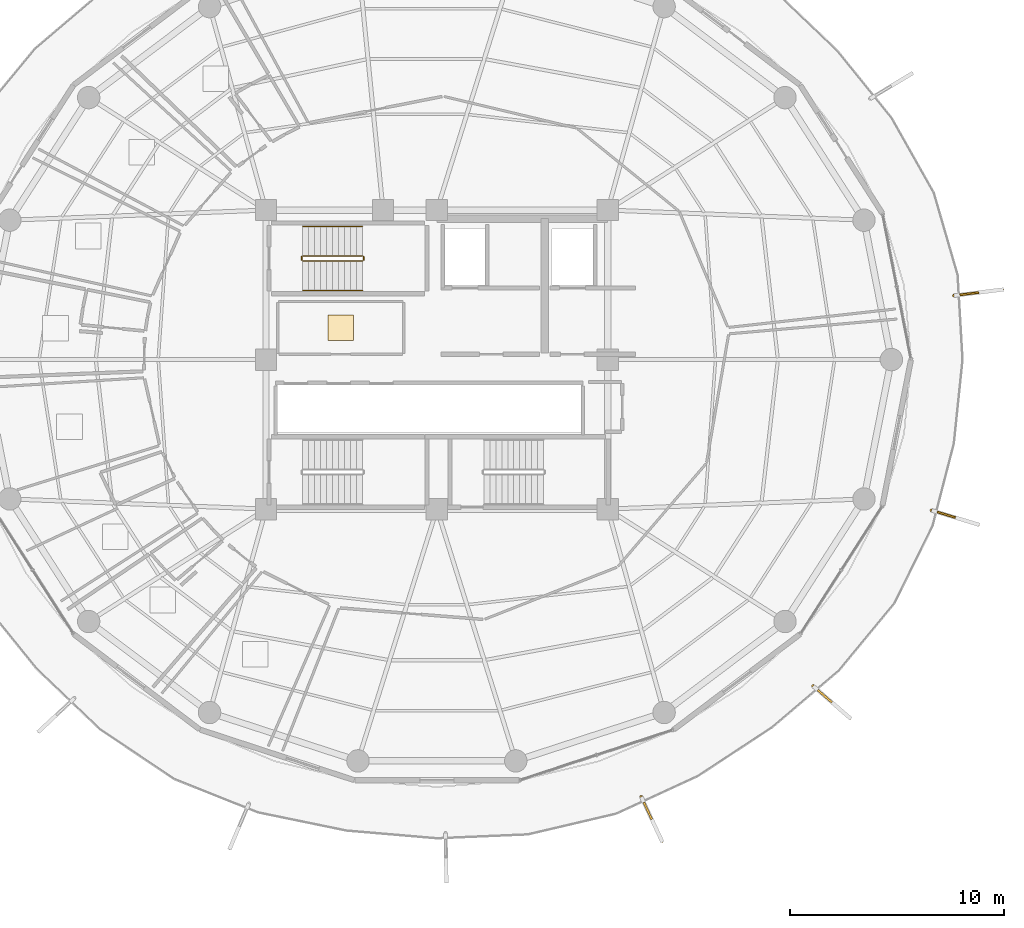
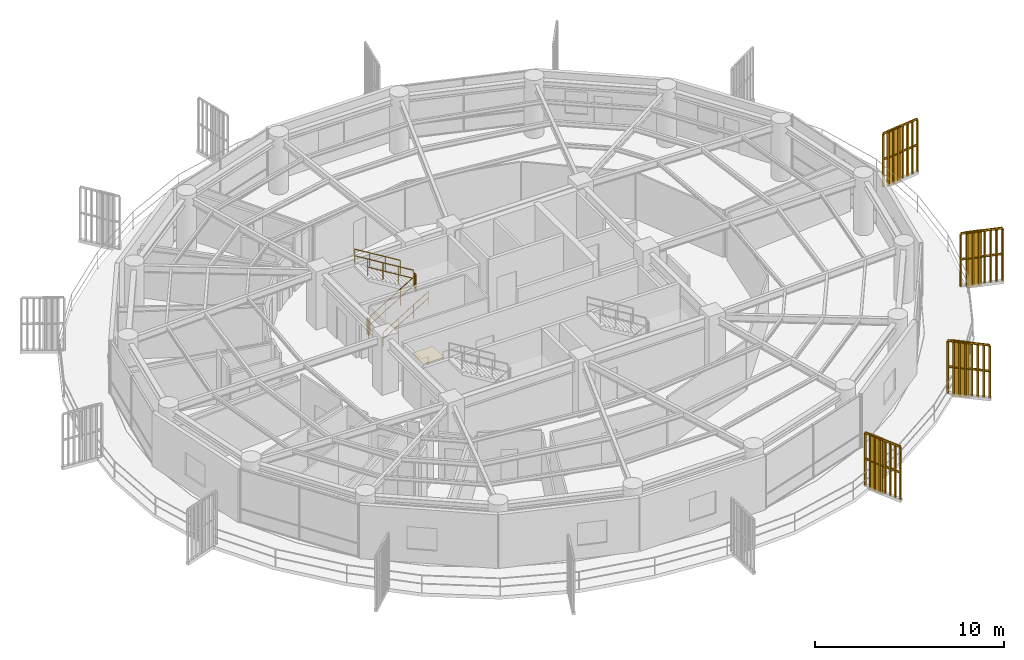
# One storey, part 29 of 30: 10 railings, 4 shading devices, 1 covering.
"""IFC4 building model written with IfcOpenShell, lengths in metres."""

from ifc_helpers import new_model, si_unit, direction, frame, origin, origin_2d, place, context, subcontext, project, spatial, polyline, rectangle, outline, extrude, source, transform, mapped, material, layer, layer_set, type_object, element, save


model = new_model("IFC4")

# Units and contexts
model_context = context("Model", 3, precision=1e-05, world=origin(), true_north=direction((0.0, 1.0)))
body_context = subcontext(model_context, "Body", "Model", "MODEL_VIEW")
ifc_project = project(units=[si_unit("LENGTHUNIT", "METRE"), si_unit("AREAUNIT", "SQUARE_METRE"), si_unit("VOLUMEUNIT", "CUBIC_METRE"), si_unit("PLANEANGLEUNIT", "RADIAN"), si_unit("MASSUNIT", "GRAM", prefix="KILO")], contexts=[model_context])

# Site, building, storey
site_placement = place(None, origin())
site = spatial("IfcSite", under=ifc_project, at=site_placement, CompositionType="ELEMENT")
building_placement = place(site_placement, origin())
building = spatial("IfcBuilding", under=site, at=building_placement, Name="Kelanora Arch Commons", CompositionType="ELEMENT")
storey_placement = place(building_placement, frame((0.0, 0.0, 234.449951171875)))
storey = spatial("IfcBuildingStorey", under=building, at=storey_placement, Name="L60", CompositionType="ELEMENT", Elevation=234.449951171875)

# Railings
ifc_material_1 = material(Name="Anodised bronze vertical shading fin rib assembly")
railing_type_1 = type_object("IfcRailingType", Name="RAIL-FIN-BRZ", PredefinedType="BALUSTRADE", material=ifc_material_1)
railing_1_placement = place(storey_placement, frame((91.6201171875, 42.711669921875, -0.02001953125)))
element("IfcRailing", 1, at=railing_1_placement, inside=storey, type_object=railing_type_1, Name="Sweeping Bronze Vertical Fin Blade L60-00", PredefinedType="BALUSTRADE", context=body_context, shape_type="SweptSolid", body=[
    extrude(outline(polyline([(0.06982421875, 0.0), (0.034912109375, 0.060546875), (-0.034912109375, 0.060546875), (-0.06982421875, 0.0), (-0.034912109375, -0.060546875), (0.034912109375, -0.060546875), (0.06982421875, 0.0)])), frame((0.0, 0.0, 3.419921875), z_axis=(0.755299834203, -0.655379401914, 0.0), x_axis=(0.655379401914, 0.755299834203, 0.0)), (0.0, 0.0, 1.0), 2.277099609375),
    extrude(outline(polyline([(0.06982421875, 0.0), (0.034912109375, 0.060546875), (-0.034912109375, 0.060546875), (-0.06982421875, 0.0), (-0.034912109375, -0.060546875), (0.034912109375, -0.060546875), (0.06982421875, 0.0)])), frame((0.0, 0.0, 1.7451171875), z_axis=(0.755299834203, -0.655379401914, 0.0), x_axis=(0.655379401914, 0.755299834203, 0.0)), (0.0, 0.0, 1.0), 2.277099609375),
    extrude(outline(polyline([(0.080078125, 0.0), (0.0400390625, 0.0693359375), (-0.0400390625, 0.0693359375), (-0.080078125, 0.0), (-0.0400390625, -0.0693359375), (0.0400390625, -0.0693359375), (0.080078125, 0.0)])), origin(), (0.0, 0.0, 1.0), 3.35009765625),
    extrude(outline(polyline([(0.080078125, 0.0), (0.0400390625, 0.0693359375), (-0.0400390625, 0.0693359375), (-0.080078125, 0.0), (-0.0400390625, -0.0693359375), (0.0400390625, -0.0693359375), (0.080078125, 0.0)])), frame((0.24560546875, -0.213134765625, 0.0)), (0.0, 0.0, 1.0), 3.35009765625),
    extrude(outline(polyline([(0.080078125, 0.0), (0.0400390625, 0.0693359375), (-0.0400390625, 0.0693359375), (-0.080078125, 0.0), (-0.0400390625, -0.0693359375), (0.0400390625, -0.0693359375), (0.080078125, 0.0)])), frame((0.491455078125, -0.426513671875, 0.0)), (0.0, 0.0, 1.0), 3.35009765625),
    extrude(outline(polyline([(0.080078125, 0.0), (0.0400390625, 0.0693359375), (-0.0400390625, 0.0693359375), (-0.080078125, 0.0), (-0.0400390625, -0.0693359375), (0.0400390625, -0.0693359375), (0.080078125, 0.0)])), frame((0.737060546875, -0.6396484375, 0.0)), (0.0, 0.0, 1.0), 3.35009765625),
    extrude(outline(polyline([(0.080078125, 0.0), (0.0400390625, 0.0693359375), (-0.0400390625, 0.0693359375), (-0.080078125, 0.0), (-0.0400390625, -0.0693359375), (0.0400390625, -0.0693359375), (0.080078125, 0.0)])), frame((0.98291015625, -0.852783203125, 0.0)), (0.0, 0.0, 1.0), 3.35009765625),
    extrude(outline(polyline([(0.080078125, 0.0), (0.0400390625, 0.0693359375), (-0.0400390625, 0.0693359375), (-0.080078125, 0.0), (-0.0400390625, -0.0693359375), (0.0400390625, -0.0693359375), (0.080078125, 0.0)])), frame((1.228515625, -1.06591796875, 0.0)), (0.0, 0.0, 1.0), 3.35009765625),
    extrude(outline(polyline([(0.080078125, 0.0), (0.0400390625, 0.0693359375), (-0.0400390625, 0.0693359375), (-0.080078125, 0.0), (-0.0400390625, -0.0693359375), (0.0400390625, -0.0693359375), (0.080078125, 0.0)])), frame((1.474365234375, -1.279296875, 0.0)), (0.0, 0.0, 1.0), 3.35009765625),
    extrude(outline(polyline([(0.080078125, 0.0), (0.0400390625, 0.0693359375), (-0.0400390625, 0.0693359375), (-0.080078125, 0.0), (-0.0400390625, -0.0693359375), (0.0400390625, -0.0693359375), (0.080078125, 0.0)])), frame((1.719970703125, -1.492431640625, 0.0)), (0.0, 0.0, 1.0), 3.35009765625),
])
railing_2_placement = place(storey_placement, frame((97.163818359375, 50.94140625, -0.02001953125)))
element("IfcRailing", 2, at=railing_2_placement, inside=storey, type_object=railing_type_1, Name="Sweeping Bronze Vertical Fin Blade L60-01", PredefinedType="BALUSTRADE", context=body_context, shape_type="SweptSolid", body=[
    extrude(outline(polyline([(0.06982421875, 0.0), (0.034912109375, 0.060546875), (-0.034912109375, 0.060546875), (-0.06982421875, 0.0), (-0.034912109375, -0.060546875), (0.034912109375, -0.060546875), (0.06982421875, 0.0)])), frame((0.0, 0.0, 3.419921875), z_axis=(0.956595937156, -0.291417592153, 0.0), x_axis=(0.291417592153, 0.956595937156, 0.0)), (0.0, 0.0, 1.0), 2.277099609375),
    extrude(outline(polyline([(0.06982421875, 0.0), (0.034912109375, 0.060546875), (-0.034912109375, 0.060546875), (-0.06982421875, 0.0), (-0.034912109375, -0.060546875), (0.034912109375, -0.060546875), (0.06982421875, 0.0)])), frame((0.0, 0.0, 1.7451171875), z_axis=(0.956595937156, -0.291417592153, 0.0), x_axis=(0.291417592153, 0.956595937156, 0.0)), (0.0, 0.0, 1.0), 2.277099609375),
    extrude(outline(polyline([(0.080078125, 0.0), (0.0400390625, 0.0693359375), (-0.0400390625, 0.0693359375), (-0.080078125, 0.0), (-0.0400390625, -0.0693359375), (0.0400390625, -0.0693359375), (0.080078125, 0.0)])), origin(), (0.0, 0.0, 1.0), 3.35009765625),
    extrude(outline(polyline([(0.080078125, 0.0), (0.0400390625, 0.0693359375), (-0.0400390625, 0.0693359375), (-0.080078125, 0.0), (-0.0400390625, -0.0693359375), (0.0400390625, -0.0693359375), (0.080078125, 0.0)])), frame((0.311279296875, -0.0947265625, 0.0)), (0.0, 0.0, 1.0), 3.35009765625),
    extrude(outline(polyline([(0.080078125, 0.0), (0.0400390625, 0.0693359375), (-0.0400390625, 0.0693359375), (-0.080078125, 0.0), (-0.0400390625, -0.0693359375), (0.0400390625, -0.0693359375), (0.080078125, 0.0)])), frame((0.622314453125, -0.189697265625, 0.0)), (0.0, 0.0, 1.0), 3.35009765625),
    extrude(outline(polyline([(0.080078125, 0.0), (0.0400390625, 0.0693359375), (-0.0400390625, 0.0693359375), (-0.080078125, 0.0), (-0.0400390625, -0.0693359375), (0.0400390625, -0.0693359375), (0.080078125, 0.0)])), frame((0.93359375, -0.284423828125, 0.0)), (0.0, 0.0, 1.0), 3.35009765625),
    extrude(outline(polyline([(0.080078125, 0.0), (0.0400390625, 0.0693359375), (-0.0400390625, 0.0693359375), (-0.080078125, 0.0), (-0.0400390625, -0.0693359375), (0.0400390625, -0.0693359375), (0.080078125, 0.0)])), frame((1.24462890625, -0.379150390625, 0.0)), (0.0, 0.0, 1.0), 3.35009765625),
    extrude(outline(polyline([(0.080078125, 0.0), (0.0400390625, 0.0693359375), (-0.0400390625, 0.0693359375), (-0.080078125, 0.0), (-0.0400390625, -0.0693359375), (0.0400390625, -0.0693359375), (0.080078125, 0.0)])), frame((1.555908203125, -0.473876953125, 0.0)), (0.0, 0.0, 1.0), 3.35009765625),
    extrude(outline(polyline([(0.080078125, 0.0), (0.0400390625, 0.0693359375), (-0.0400390625, 0.0693359375), (-0.080078125, 0.0), (-0.0400390625, -0.0693359375), (0.0400390625, -0.0693359375), (0.080078125, 0.0)])), frame((1.866943359375, -0.56884765625, 0.0)), (0.0, 0.0, 1.0), 3.35009765625),
    extrude(outline(polyline([(0.080078125, 0.0), (0.0400390625, 0.0693359375), (-0.0400390625, 0.0693359375), (-0.080078125, 0.0), (-0.0400390625, -0.0693359375), (0.0400390625, -0.0693359375), (0.080078125, 0.0)])), frame((2.17822265625, -0.66357421875, 0.0)), (0.0, 0.0, 1.0), 3.35009765625),
])
railing_3_placement = place(storey_placement, frame((98.213134765625, 60.99560546875, -0.02001953125)))
element("IfcRailing", 3, at=railing_3_placement, inside=storey, type_object=railing_type_1, Name="Sweeping Bronze Vertical Fin Blade L60-02", PredefinedType="BALUSTRADE", context=body_context, shape_type="SweptSolid", body=[
    extrude(outline(polyline([(0.06982421875, 0.0), (0.034912109375, 0.060546875), (-0.034912109375, 0.060546875), (-0.06982421875, 0.0), (-0.034912109375, -0.060546875), (0.034912109375, -0.060546875), (0.06982421875, 0.0)])), frame((0.0, 0.0, 3.419921875), z_axis=(0.992423974232, 0.122860308358, 0.0), x_axis=(-0.122860308358, 0.992423974232, 0.0)), (0.0, 0.0, 1.0), 2.27734375),
    extrude(outline(polyline([(0.06982421875, 0.0), (0.034912109375, 0.060546875), (-0.034912109375, 0.060546875), (-0.06982421875, 0.0), (-0.034912109375, -0.060546875), (0.034912109375, -0.060546875), (0.06982421875, 0.0)])), frame((0.0, 0.0, 1.7451171875), z_axis=(0.992423974232, 0.122860308358, 0.0), x_axis=(-0.122860308358, 0.992423974232, 0.0)), (0.0, 0.0, 1.0), 2.27734375),
    extrude(outline(polyline([(0.080078125, 0.0), (0.0400390625, 0.0693359375), (-0.0400390625, 0.0693359375), (-0.080078125, 0.0), (-0.0400390625, -0.0693359375), (0.0400390625, -0.0693359375), (0.080078125, 0.0)])), origin(), (0.0, 0.0, 1.0), 3.35009765625),
    extrude(outline(polyline([(0.080078125, 0.0), (0.0400390625, 0.0693359375), (-0.0400390625, 0.0693359375), (-0.080078125, 0.0), (-0.0400390625, -0.0693359375), (0.0400390625, -0.0693359375), (0.080078125, 0.0)])), frame((0.32275390625, 0.0400390625, 0.0)), (0.0, 0.0, 1.0), 3.35009765625),
    extrude(outline(polyline([(0.080078125, 0.0), (0.0400390625, 0.0693359375), (-0.0400390625, 0.0693359375), (-0.080078125, 0.0), (-0.0400390625, -0.0693359375), (0.0400390625, -0.0693359375), (0.080078125, 0.0)])), frame((0.645751953125, 0.079833984375, 0.0)), (0.0, 0.0, 1.0), 3.35009765625),
    extrude(outline(polyline([(0.080078125, 0.0), (0.0400390625, 0.0693359375), (-0.0400390625, 0.0693359375), (-0.080078125, 0.0), (-0.0400390625, -0.0693359375), (0.0400390625, -0.0693359375), (0.080078125, 0.0)])), frame((0.968505859375, 0.119873046875, 0.0)), (0.0, 0.0, 1.0), 3.35009765625),
    extrude(outline(polyline([(0.080078125, 0.0), (0.0400390625, 0.0693359375), (-0.0400390625, 0.0693359375), (-0.080078125, 0.0), (-0.0400390625, -0.0693359375), (0.0400390625, -0.0693359375), (0.080078125, 0.0)])), frame((1.29150390625, 0.159912109375, 0.0)), (0.0, 0.0, 1.0), 3.35009765625),
    extrude(outline(polyline([(0.080078125, 0.0), (0.0400390625, 0.0693359375), (-0.0400390625, 0.0693359375), (-0.080078125, 0.0), (-0.0400390625, -0.0693359375), (0.0400390625, -0.0693359375), (0.080078125, 0.0)])), frame((1.6142578125, 0.199951171875, 0.0)), (0.0, 0.0, 1.0), 3.35009765625),
    extrude(outline(polyline([(0.080078125, 0.0), (0.0400390625, 0.0693359375), (-0.0400390625, 0.0693359375), (-0.080078125, 0.0), (-0.0400390625, -0.0693359375), (0.0400390625, -0.0693359375), (0.080078125, 0.0)])), frame((1.937255859375, 0.23974609375, 0.0)), (0.0, 0.0, 1.0), 3.35009765625),
    extrude(outline(polyline([(0.080078125, 0.0), (0.0400390625, 0.0693359375), (-0.0400390625, 0.0693359375), (-0.080078125, 0.0), (-0.0400390625, -0.0693359375), (0.0400390625, -0.0693359375), (0.080078125, 0.0)])), frame((2.260009765625, 0.27978515625, 0.0)), (0.0, 0.0, 1.0), 3.35009765625),
])
railing_4_placement = place(storey_placement, frame((83.569091796875, 37.5283203125, -0.02001953125)))
element("IfcRailing", 4, at=railing_4_placement, inside=storey, type_object=railing_type_1, Name="Sweeping Bronze Vertical Fin Blade L60-14", PredefinedType="BALUSTRADE", context=body_context, shape_type="SweptSolid", body=[
    extrude(outline(polyline([(0.06982421875, 0.0), (0.034912109375, 0.060546875), (-0.034912109375, 0.060546875), (-0.06982421875, 0.0), (-0.034912109375, -0.060546875), (0.034912109375, -0.060546875), (0.06982421875, 0.0)])), frame((0.0, 0.0, 3.419921875), z_axis=(0.423472282692, -0.905909060442, 0.0), x_axis=(0.905909060442, 0.423472282692, 0.0)), (0.0, 0.0, 1.0), 2.27734375),
    extrude(outline(polyline([(0.06982421875, 0.0), (0.034912109375, 0.060546875), (-0.034912109375, 0.060546875), (-0.06982421875, 0.0), (-0.034912109375, -0.060546875), (0.034912109375, -0.060546875), (0.06982421875, 0.0)])), frame((0.0, 0.0, 1.7451171875), z_axis=(0.423472282692, -0.905909060442, 0.0), x_axis=(0.905909060442, 0.423472282692, 0.0)), (0.0, 0.0, 1.0), 2.27734375),
    extrude(outline(polyline([(0.080078125, 0.0), (0.0400390625, 0.0693359375), (-0.0400390625, 0.0693359375), (-0.080078125, 0.0), (-0.0400390625, -0.0693359375), (0.0400390625, -0.0693359375), (0.080078125, 0.0)])), origin(), (0.0, 0.0, 1.0), 3.35009765625),
    extrude(outline(polyline([(0.080078125, 0.0), (0.0400390625, 0.0693359375), (-0.0400390625, 0.0693359375), (-0.080078125, 0.0), (-0.0400390625, -0.0693359375), (0.0400390625, -0.0693359375), (0.080078125, 0.0)])), frame((0.1376953125, -0.294677734375, 0.0)), (0.0, 0.0, 1.0), 3.35009765625),
    extrude(outline(polyline([(0.080078125, 0.0), (0.0400390625, 0.0693359375), (-0.0400390625, 0.0693359375), (-0.080078125, 0.0), (-0.0400390625, -0.0693359375), (0.0400390625, -0.0693359375), (0.080078125, 0.0)])), frame((0.275634765625, -0.58935546875, 0.0)), (0.0, 0.0, 1.0), 3.35009765625),
    extrude(outline(polyline([(0.080078125, 0.0), (0.0400390625, 0.0693359375), (-0.0400390625, 0.0693359375), (-0.080078125, 0.0), (-0.0400390625, -0.0693359375), (0.0400390625, -0.0693359375), (0.080078125, 0.0)])), frame((0.413330078125, -0.884033203125, 0.0)), (0.0, 0.0, 1.0), 3.35009765625),
    extrude(outline(polyline([(0.080078125, 0.0), (0.0400390625, 0.0693359375), (-0.0400390625, 0.0693359375), (-0.080078125, 0.0), (-0.0400390625, -0.0693359375), (0.0400390625, -0.0693359375), (0.080078125, 0.0)])), frame((0.551025390625, -1.178955078125, 0.0)), (0.0, 0.0, 1.0), 3.35009765625),
    extrude(outline(polyline([(0.080078125, 0.0), (0.0400390625, 0.0693359375), (-0.0400390625, 0.0693359375), (-0.080078125, 0.0), (-0.0400390625, -0.0693359375), (0.0400390625, -0.0693359375), (0.080078125, 0.0)])), frame((0.688720703125, -1.4736328125, 0.0)), (0.0, 0.0, 1.0), 3.35009765625),
    extrude(outline(polyline([(0.080078125, 0.0), (0.0400390625, 0.0693359375), (-0.0400390625, 0.0693359375), (-0.080078125, 0.0), (-0.0400390625, -0.0693359375), (0.0400390625, -0.0693359375), (0.080078125, 0.0)])), frame((0.82666015625, -1.768310546875, 0.0)), (0.0, 0.0, 1.0), 3.35009765625),
    extrude(outline(polyline([(0.080078125, 0.0), (0.0400390625, 0.0693359375), (-0.0400390625, 0.0693359375), (-0.080078125, 0.0), (-0.0400390625, -0.0693359375), (0.0400390625, -0.0693359375), (0.080078125, 0.0)])), frame((0.96435546875, -2.06298828125, 0.0)), (0.0, 0.0, 1.0), 3.35009765625),
])
ifc_material_2 = material(Name="Painted steel stair well guard", Category="steel")
railing_type_2 = type_object("IfcRailingType", Name="RAIL-STAIR-GRD", PredefinedType="GUARDRAIL", material=ifc_material_2)
railing_5_placement = place(storey_placement, frame((67.719970703125, 62.610107421875, 0.17041015625)))
element("IfcRailing", 5, at=railing_5_placement, inside=storey, type_object=railing_type_2, Name="L60 ST-T1 stair guard 1", PredefinedType="GUARDRAIL", context=body_context, shape_type="SweptSolid", body=[
    extrude(outline(polyline([(0.02392578125, 0.0), (0.011962890625, 0.020751953125), (-0.011962890625, 0.020751953125), (-0.02392578125, 0.0), (-0.011962890625, -0.020751953125), (0.011962890625, -0.020751953125), (0.02392578125, 0.0)])), frame((0.0, 0.0, 1.076171875), z_axis=(0.854169791009, 0.0, 0.51999420009), x_axis=(0.0, 1.0, 0.0)), (0.0, 0.0, 1.0), 3.278076171875),
    extrude(outline(polyline([(0.02392578125, 0.0), (0.011962890625, 0.020751953125), (-0.011962890625, 0.020751953125), (-0.02392578125, 0.0), (-0.011962890625, -0.020751953125), (0.011962890625, -0.020751953125), (0.02392578125, 0.0)])), frame((0.0, 0.0, 0.550048828125), z_axis=(0.854169791009, 0.0, 0.51999420009), x_axis=(0.0, 1.0, 0.0)), (0.0, 0.0, 1.0), 3.278076171875),
    extrude(outline(polyline([(0.02099609375, 0.0), (0.010498046875, 0.01806640625), (-0.010498046875, 0.01806640625), (-0.02099609375, 0.0), (-0.010498046875, -0.01806640625), (0.010498046875, -0.01806640625), (0.02099609375, 0.0)])), origin(), (0.0, 0.0, 1.0), 1.052001953125),
    extrude(outline(polyline([(0.02099609375, 0.0), (0.010498046875, 0.01806640625), (-0.010498046875, 0.01806640625), (-0.02099609375, 0.0), (-0.010498046875, -0.01806640625), (0.010498046875, -0.01806640625), (0.02099609375, 0.0)])), frame((0.933349609375, 0.0, 0.568115234375)), (0.0, 0.0, 1.0), 1.052001953125),
    extrude(outline(polyline([(0.02099609375, 0.0), (0.010498046875, 0.01806640625), (-0.010498046875, 0.01806640625), (-0.02099609375, 0.0), (-0.010498046875, -0.01806640625), (0.010498046875, -0.01806640625), (0.02099609375, 0.0)])), frame((1.86669921875, 0.0, 1.136474609375)), (0.0, 0.0, 1.0), 1.052001953125),
    extrude(outline(polyline([(0.02099609375, 0.0), (0.010498046875, 0.01806640625), (-0.010498046875, 0.01806640625), (-0.02099609375, 0.0), (-0.010498046875, -0.01806640625), (0.010498046875, -0.01806640625), (0.02099609375, 0.0)])), frame((2.800048828125, 0.0, 1.70458984375)), (0.0, 0.0, 1.0), 1.052001953125),
])
railing_6_placement = place(storey_placement, frame((70.570068359375, 62.659912109375, 1.875)))
element("IfcRailing", 6, at=railing_6_placement, inside=storey, type_object=railing_type_2, Name="L60 ST-T1 stair guard 2", PredefinedType="GUARDRAIL", context=body_context, shape_type="SweptSolid", body=[
    extrude(outline(polyline([(0.02392578125, 0.0), (0.011962890625, 0.020751953125), (-0.011962890625, 0.020751953125), (-0.02392578125, 0.0), (-0.011962890625, -0.020751953125), (0.011962890625, -0.020751953125), (0.02392578125, 0.0)])), frame((0.0, 0.0, 1.076171875), z_axis=(0.0, 1.0, 0.0), x_axis=(-1.0, 0.0, 0.0)), (0.0, 0.0, 1.0), 0.150146484375),
    extrude(outline(polyline([(0.02392578125, 0.0), (0.011962890625, 0.020751953125), (-0.011962890625, 0.020751953125), (-0.02392578125, 0.0), (-0.011962890625, -0.020751953125), (0.011962890625, -0.020751953125), (0.02392578125, 0.0)])), frame((0.0, 0.0, 0.550048828125), z_axis=(0.0, 1.0, 0.0), x_axis=(-1.0, 0.0, 0.0)), (0.0, 0.0, 1.0), 0.150146484375),
    extrude(outline(polyline([(0.02099609375, 0.0), (0.010498046875, 0.01806640625), (-0.010498046875, 0.01806640625), (-0.02099609375, 0.0), (-0.010498046875, -0.01806640625), (0.010498046875, -0.01806640625), (0.02099609375, 0.0)])), origin(), (0.0, 0.0, 1.0), 1.052001953125),
    extrude(outline(polyline([(0.02099609375, 0.0), (0.010498046875, 0.01806640625), (-0.010498046875, 0.01806640625), (-0.02099609375, 0.0), (-0.010498046875, -0.01806640625), (0.010498046875, -0.01806640625), (0.02099609375, 0.0)])), frame((0.0, 0.150146484375, 0.0)), (0.0, 0.0, 1.0), 1.052001953125),
])
railing_7_placement = place(storey_placement, frame((70.52001953125, 62.860107421875, 2.04541015625)))
element("IfcRailing", 7, at=railing_7_placement, inside=storey, type_object=railing_type_2, Name="L60 ST-T1 stair guard 3", PredefinedType="GUARDRAIL", context=body_context, shape_type="SweptSolid", body=[
    extrude(outline(polyline([(0.02392578125, 0.0), (0.011962890625, 0.020751953125), (-0.011962890625, 0.020751953125), (-0.02392578125, 0.0), (-0.011962890625, -0.020751953125), (0.011962890625, -0.020751953125), (0.02392578125, 0.0)])), frame((0.0, 0.0, 1.076171875), z_axis=(-0.854169791009, 0.0, 0.51999420009), x_axis=(0.0, -1.0, 0.0)), (0.0, 0.0, 1.0), 3.278076171875),
    extrude(outline(polyline([(0.02392578125, 0.0), (0.011962890625, 0.020751953125), (-0.011962890625, 0.020751953125), (-0.02392578125, 0.0), (-0.011962890625, -0.020751953125), (0.011962890625, -0.020751953125), (0.02392578125, 0.0)])), frame((0.0, 0.0, 0.550048828125), z_axis=(-0.854169791009, 0.0, 0.51999420009), x_axis=(0.0, -1.0, 0.0)), (0.0, 0.0, 1.0), 3.278076171875),
    extrude(outline(polyline([(0.02099609375, 0.0), (0.010498046875, 0.01806640625), (-0.010498046875, 0.01806640625), (-0.02099609375, 0.0), (-0.010498046875, -0.01806640625), (0.010498046875, -0.01806640625), (0.02099609375, 0.0)])), origin(), (0.0, 0.0, 1.0), 1.052001953125),
    extrude(outline(polyline([(0.02099609375, 0.0), (0.010498046875, 0.01806640625), (-0.010498046875, 0.01806640625), (-0.02099609375, 0.0), (-0.010498046875, -0.01806640625), (0.010498046875, -0.01806640625), (0.02099609375, 0.0)])), frame((-0.933349609375, 0.0, 0.568115234375)), (0.0, 0.0, 1.0), 1.052001953125),
    extrude(outline(polyline([(0.02099609375, 0.0), (0.010498046875, 0.01806640625), (-0.010498046875, 0.01806640625), (-0.02099609375, 0.0), (-0.010498046875, -0.01806640625), (0.010498046875, -0.01806640625), (0.02099609375, 0.0)])), frame((-1.86669921875, 0.0, 1.136474609375)), (0.0, 0.0, 1.0), 1.052001953125),
    extrude(outline(polyline([(0.02099609375, 0.0), (0.010498046875, 0.01806640625), (-0.010498046875, 0.01806640625), (-0.02099609375, 0.0), (-0.010498046875, -0.01806640625), (0.010498046875, -0.01806640625), (0.02099609375, 0.0)])), frame((-2.800048828125, 0.0, 1.70458984375)), (0.0, 0.0, 1.0), 1.052001953125),
])
railing_8_placement = place(storey_placement, frame((67.669921875, 62.659912109375, 0.0)))
element("IfcRailing", 8, at=railing_8_placement, inside=storey, type_object=railing_type_2, Name="L60 ST-T1 stair guard 4", PredefinedType="GUARDRAIL", context=body_context, shape_type="SweptSolid", body=[
    extrude(outline(polyline([(0.02392578125, 0.0), (0.011962890625, 0.020751953125), (-0.011962890625, 0.020751953125), (-0.02392578125, 0.0), (-0.011962890625, -0.020751953125), (0.011962890625, -0.020751953125), (0.02392578125, 0.0)])), frame((0.0, 0.0, 1.076171875), z_axis=(0.0, 1.0, 0.0), x_axis=(-1.0, 0.0, 0.0)), (0.0, 0.0, 1.0), 0.150146484375),
    extrude(outline(polyline([(0.02392578125, 0.0), (0.011962890625, 0.020751953125), (-0.011962890625, 0.020751953125), (-0.02392578125, 0.0), (-0.011962890625, -0.020751953125), (0.011962890625, -0.020751953125), (0.02392578125, 0.0)])), frame((0.0, 0.0, 0.550048828125), z_axis=(0.0, 1.0, 0.0), x_axis=(-1.0, 0.0, 0.0)), (0.0, 0.0, 1.0), 0.150146484375),
    extrude(outline(polyline([(0.02099609375, 0.0), (0.010498046875, 0.01806640625), (-0.010498046875, 0.01806640625), (-0.02099609375, 0.0), (-0.010498046875, -0.01806640625), (0.010498046875, -0.01806640625), (0.02099609375, 0.0)])), origin(), (0.0, 0.0, 1.0), 1.052001953125),
    extrude(outline(polyline([(0.02099609375, 0.0), (0.010498046875, 0.01806640625), (-0.010498046875, 0.01806640625), (-0.02099609375, 0.0), (-0.010498046875, -0.01806640625), (0.010498046875, -0.01806640625), (0.02099609375, 0.0)])), frame((0.0, 0.150146484375, 0.0)), (0.0, 0.0, 1.0), 1.052001953125),
])
ifc_material_3 = material(Name="Brushed stainless steel stair handrail", Category="steel")
railing_type_3 = type_object("IfcRailingType", Name="RAIL-STAIR-HND", PredefinedType="HANDRAIL", material=ifc_material_3)
railing_9_placement = place(storey_placement, frame((67.719970703125, 61.22998046875, 0.17041015625)))
element("IfcRailing", 9, at=railing_9_placement, inside=storey, type_object=railing_type_3, Name="L60 ST-T1 stair handrail 1", PredefinedType="HANDRAIL", context=body_context, shape_type="SweptSolid", body=[
    extrude(outline(polyline([(0.02392578125, 0.0), (0.011962890625, 0.020751953125), (-0.011962890625, 0.020751953125), (-0.02392578125, 0.0), (-0.011962890625, -0.020751953125), (0.011962890625, -0.020751953125), (0.02392578125, 0.0)])), frame((0.0, 0.0, 0.8759765625), z_axis=(0.854169791009, 0.0, 0.51999420009), x_axis=(0.0, 1.0, 0.0)), (0.0, 0.0, 1.0), 3.278076171875),
    extrude(outline(polyline([(0.02392578125, 0.0), (0.011962890625, 0.020751953125), (-0.011962890625, 0.020751953125), (-0.02392578125, 0.0), (-0.011962890625, -0.020751953125), (0.011962890625, -0.020751953125), (0.02392578125, 0.0)])), frame((0.0, 0.0, 0.449951171875), z_axis=(0.854169791009, 0.0, 0.51999420009), x_axis=(0.0, 1.0, 0.0)), (0.0, 0.0, 1.0), 3.278076171875),
    extrude(outline(polyline([(0.02099609375, 0.0), (0.010498046875, 0.01806640625), (-0.010498046875, 0.01806640625), (-0.02099609375, 0.0), (-0.010498046875, -0.01806640625), (0.010498046875, -0.01806640625), (0.02099609375, 0.0)])), origin(), (0.0, 0.0, 1.0), 0.851806640625),
    extrude(outline(polyline([(0.02099609375, 0.0), (0.010498046875, 0.01806640625), (-0.010498046875, 0.01806640625), (-0.02099609375, 0.0), (-0.010498046875, -0.01806640625), (0.010498046875, -0.01806640625), (0.02099609375, 0.0)])), frame((0.933349609375, 0.0, 0.568115234375)), (0.0, 0.0, 1.0), 0.851806640625),
    extrude(outline(polyline([(0.02099609375, 0.0), (0.010498046875, 0.01806640625), (-0.010498046875, 0.01806640625), (-0.02099609375, 0.0), (-0.010498046875, -0.01806640625), (0.010498046875, -0.01806640625), (0.02099609375, 0.0)])), frame((1.86669921875, 0.0, 1.136474609375)), (0.0, 0.0, 1.0), 0.851806640625),
    extrude(outline(polyline([(0.02099609375, 0.0), (0.010498046875, 0.01806640625), (-0.010498046875, 0.01806640625), (-0.02099609375, 0.0), (-0.010498046875, -0.01806640625), (0.010498046875, -0.01806640625), (0.02099609375, 0.0)])), frame((2.800048828125, 0.0, 1.70458984375)), (0.0, 0.0, 1.0), 0.851806640625),
])
railing_10_placement = place(storey_placement, frame((70.52001953125, 64.239990234375, 2.04541015625)))
element("IfcRailing", 10, at=railing_10_placement, inside=storey, type_object=railing_type_3, Name="L60 ST-T1 stair handrail 2", PredefinedType="HANDRAIL", context=body_context, shape_type="SweptSolid", body=[
    extrude(outline(polyline([(0.02392578125, 0.0), (0.011962890625, 0.020751953125), (-0.011962890625, 0.020751953125), (-0.02392578125, 0.0), (-0.011962890625, -0.020751953125), (0.011962890625, -0.020751953125), (0.02392578125, 0.0)])), frame((0.0, 0.0, 0.8759765625), z_axis=(-0.854169791009, 0.0, 0.51999420009), x_axis=(0.0, -1.0, 0.0)), (0.0, 0.0, 1.0), 3.278076171875),
    extrude(outline(polyline([(0.02392578125, 0.0), (0.011962890625, 0.020751953125), (-0.011962890625, 0.020751953125), (-0.02392578125, 0.0), (-0.011962890625, -0.020751953125), (0.011962890625, -0.020751953125), (0.02392578125, 0.0)])), frame((0.0, 0.0, 0.449951171875), z_axis=(-0.854169791009, 0.0, 0.51999420009), x_axis=(0.0, -1.0, 0.0)), (0.0, 0.0, 1.0), 3.278076171875),
    extrude(outline(polyline([(0.02099609375, 0.0), (0.010498046875, 0.01806640625), (-0.010498046875, 0.01806640625), (-0.02099609375, 0.0), (-0.010498046875, -0.01806640625), (0.010498046875, -0.01806640625), (0.02099609375, 0.0)])), origin(), (0.0, 0.0, 1.0), 0.851806640625),
    extrude(outline(polyline([(0.02099609375, 0.0), (0.010498046875, 0.01806640625), (-0.010498046875, 0.01806640625), (-0.02099609375, 0.0), (-0.010498046875, -0.01806640625), (0.010498046875, -0.01806640625), (0.02099609375, 0.0)])), frame((-0.933349609375, 0.0, 0.568115234375)), (0.0, 0.0, 1.0), 0.851806640625),
    extrude(outline(polyline([(0.02099609375, 0.0), (0.010498046875, 0.01806640625), (-0.010498046875, 0.01806640625), (-0.02099609375, 0.0), (-0.010498046875, -0.01806640625), (0.010498046875, -0.01806640625), (0.02099609375, 0.0)])), frame((-1.86669921875, 0.0, 1.136474609375)), (0.0, 0.0, 1.0), 0.851806640625),
    extrude(outline(polyline([(0.02099609375, 0.0), (0.010498046875, 0.01806640625), (-0.010498046875, 0.01806640625), (-0.02099609375, 0.0), (-0.010498046875, -0.01806640625), (0.010498046875, -0.01806640625), (0.02099609375, 0.0)])), frame((-2.800048828125, 0.0, 1.70458984375)), (0.0, 0.0, 1.0), 0.851806640625),
])

# Shading devices
ifc_material_4 = material(Name="Terracotta ceramic-clad extruded aluminium fin", Category="masonry")
shading_device_type = type_object("IfcShadingDeviceType", Name="SHD-FIN-FLARE", PredefinedType="USERDEFINED", material=ifc_material_4)
shared_shape_1 = source(origin(), body_context, "Body", "SweptSolid", [
    extrude(rectangle(XDim=0.8798828125, YDim=0.090087890625, at=origin_2d()), origin(), (0.0, 0.0, 1.0), 3.610107421875),
])
for number, where, z_axis, x_axis, name in (
    (11, (92.1640625, 42.23974609375, -0.14013671875), (0.0, 0.0, 1.0), (0.755281812285, -0.655400170912, 0.0), "Sweeping Terracotta Fin L60-00"),
    (12, (97.8525390625, 50.731689453125, -0.14013671875), (0.0, 0.0, 1.0), (0.956559534241, -0.29153706017, 0.0), "Sweeping Terracotta Fin L60-01"),
    (13, (98.927734375, 61.084228515625, -0.14013671875), (0.0, 0.0, 1.0), (0.992439422656, 0.122735456807, 0.0), "Sweeping Terracotta Fin L60-02"),
    (14, (83.8740234375, 36.8759765625, -0.14013671875), (0.0, 0.0, 1.0), (0.423409003465, -0.90593863798, 0.0), "Sweeping Terracotta Fin L60-14"),
):
    element("IfcShadingDevice", number, at=place(storey_placement, frame(where, z_axis=z_axis, x_axis=x_axis)), inside=storey, type_object=shading_device_type, Name=name, ObjectType="FIN", PredefinedType="USERDEFINED", context=body_context, shape_type="MappedRepresentation", body=[
        mapped(shared_shape_1, transform((0.0, 0.0, 0.0), scale=1.0)),
    ])

# Covering
ifc_material_5 = material(Name="Polished local granite terrazzo flooring", Category="masonry")
ifc_layer = layer(ifc_material_5, 0.030029296875)
ifc_layer_set = layer_set([ifc_layer], Name="Polished local granite terrazzo flooring")
covering_type = type_object("IfcCoveringType", Name="COV-FLR-TER", PredefinedType="FLOORING", material=ifc_layer_set)
shared_shape_2 = source(origin(), body_context, "Body", "SweptSolid", [
    extrude(rectangle(XDim=1.199951171875, YDim=1.199951171875, at=origin_2d()), origin(), (0.0, 0.0, 1.0), 0.030029296875),
])
covering_placement = place(storey_placement, frame((69.5, 59.485107421875, 0.0), z_axis=(0.0, 0.0, 1.0), x_axis=(1.0, 0.0, 0.0)))
element("IfcCovering", 15, at=covering_placement, inside=storey, type_object=covering_type, Name="Reclaimed Core Study Pod Lounge L60 Terrazzo Finish", PredefinedType="FLOORING", context=body_context, shape_type="MappedRepresentation", body=[
    mapped(shared_shape_2, transform((0.0, 0.0, 0.0), scale=1.0)),
])

save(model, "model.ifc")
